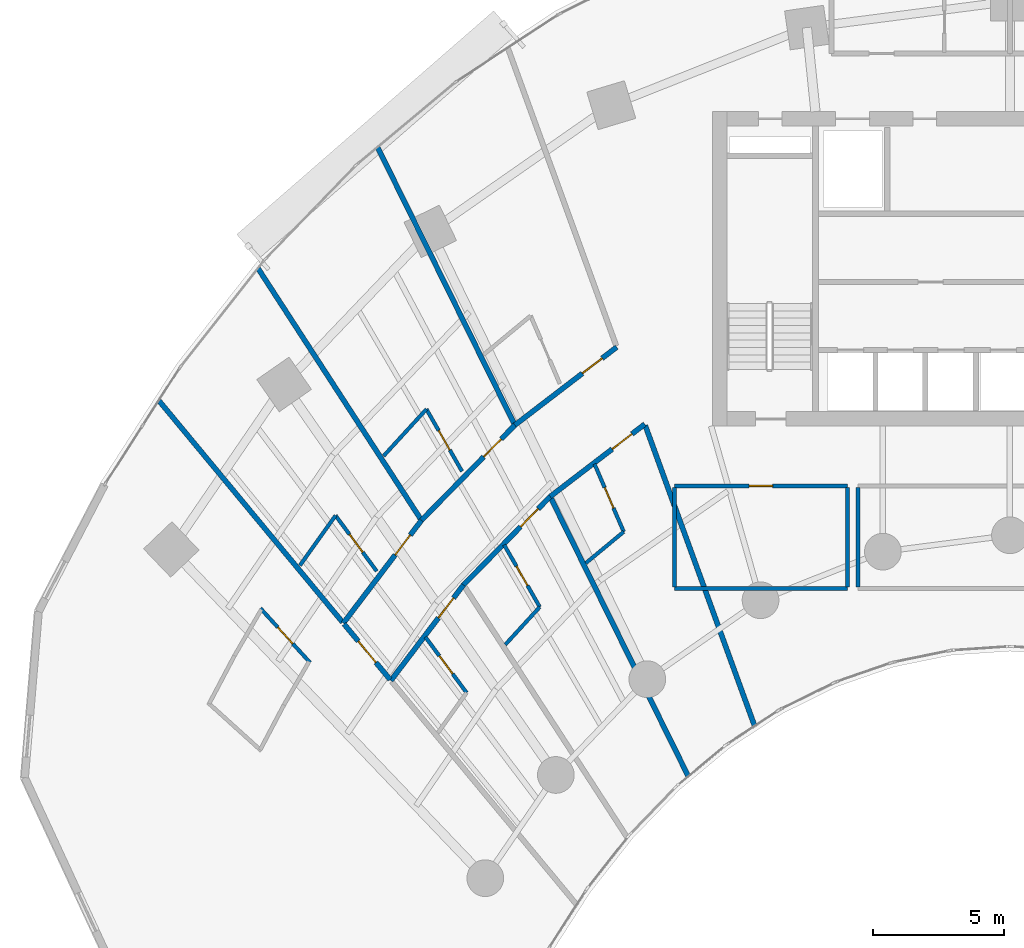
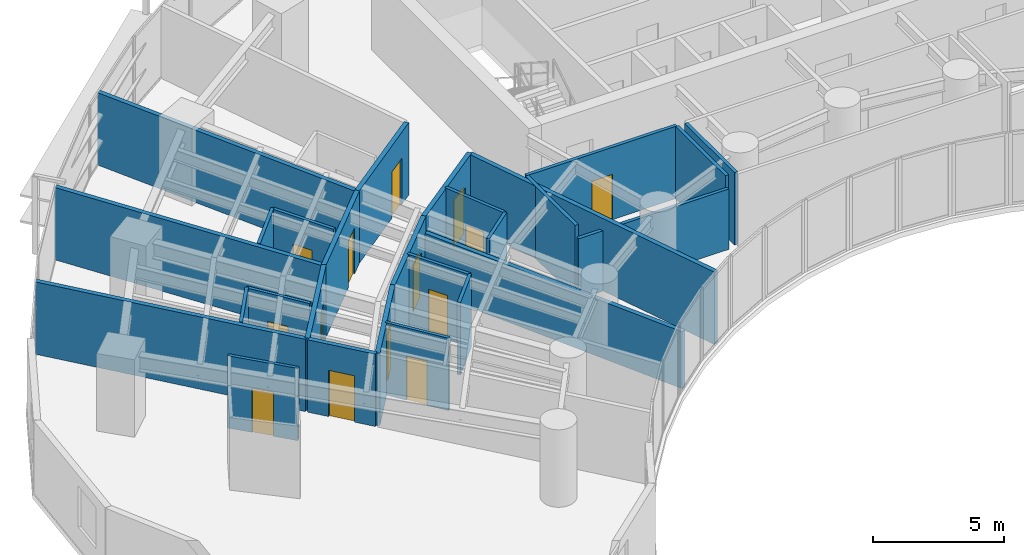
# One storey, part 11 of 18: 27 walls, 14 doors, 14 openings.
"""IFC4 building model written with IfcOpenShell, lengths in metres."""

from ifc_helpers import new_model, si_unit, direction, frame, frame_2d, origin, place, context, subcontext, project, spatial, rectangle, extrude, source, transform, mapped, material, layer, layer_set, type_object, type_shapes, element, fill, save


model = new_model("IFC4")

# Units and contexts
model_context = context("Model", 3, precision=1e-05, world=origin(), true_north=direction((0.0, 1.0)))
body_context = subcontext(model_context, "Body", "Model", "MODEL_VIEW")
ifc_project = project(units=[si_unit("LENGTHUNIT", "METRE"), si_unit("AREAUNIT", "SQUARE_METRE"), si_unit("VOLUMEUNIT", "CUBIC_METRE"), si_unit("PLANEANGLEUNIT", "RADIAN"), si_unit("MASSUNIT", "GRAM", prefix="KILO")], contexts=[model_context])

# Site, building, storey
site_placement = place(None, origin())
site = spatial("IfcSite", under=ifc_project, at=site_placement, CompositionType="ELEMENT")
building_placement = place(site_placement, origin())
building = spatial("IfcBuilding", under=site, at=building_placement, Name="Breltana Convention Tower", CompositionType="ELEMENT")
storey_placement = place(building_placement, frame((0.0, 0.0, 35.39990234375)))
storey = spatial("IfcBuildingStorey", under=building, at=storey_placement, Name="L06", CompositionType="ELEMENT", Elevation=35.39990234375)

# Wall
ifc_material_1 = material(Name="Gypsum Acoustic Drywall Partition")
ifc_layer_1 = layer(ifc_material_1, 0.14990234375, Name="Gypsum Acoustic Drywall Partition")
ifc_layer_set_1 = layer_set([ifc_layer_1], Name="Gypsum Acoustic Drywall Partition")
wall_type_1 = type_object("IfcWallType", Name="WL-PART-150", PredefinedType="PARTITIONING", material=ifc_layer_set_1)
shared_shape_1 = source(origin(), body_context, "Body", "SweptSolid", [
    extrude(rectangle(XDim=6.60009765625, YDim=0.14990234375, at=frame_2d((3.300048828125, 0.0))), origin(), (0.0, 0.0, 1.0), 2.802978515625),
])
wall_1_placement = place(storey_placement, frame((35.199951171875, 54.0, 0.0), z_axis=(0.0, 0.0, 1.0), x_axis=(1.0, 0.0, 0.0)))
element("IfcWall", 1, at=wall_1_placement, inside=storey, type_object=wall_type_1, Name="L06 interior partition W-L06-HSK-S", PredefinedType="PARTITIONING", context=body_context, shape_type="MappedRepresentation", body=[
    mapped(shared_shape_1, transform((0.0, 0.0, 0.0), scale=1.0)),
])

# Wall, opening, door
shared_shape_2 = source(origin(), body_context, "Body", "SweptSolid", [
    extrude(rectangle(XDim=6.60009765625, YDim=0.14990234375, at=frame_2d((3.300048828125, 0.0))), origin(), (0.0, 0.0, 1.0), 3.360107421875),
])
wall_2_placement = place(storey_placement, frame((35.199951171875, 57.919921875, 0.0), z_axis=(0.0, 0.0, 1.0), x_axis=(1.0, 0.0, 0.0)))
wall_2 = element("IfcWall", 2, at=wall_2_placement, inside=storey, type_object=wall_type_1, Name="L06 interior partition W-L06-HSK-N", PredefinedType="PARTITIONING", context=body_context, shape_type="MappedRepresentation", body=[
    mapped(shared_shape_2, transform((0.0, 0.0, 0.0), scale=1.0)),
])
opening_1_placement = place(wall_2_placement, frame((2.85009765625, 0.0, 0.0)))
opening_1 = element("IfcOpeningElement", 3, at=opening_1_placement, cuts=wall_2, Name="Opening D-18", PredefinedType="OPENING", context=body_context, shape_type="SweptSolid", body=[
    extrude(rectangle(XDim=0.89990234375, YDim=2.10009765625, at=frame_2d((0.449951171875, 1.050048828125))), frame((0.0, 0.0849609375, 0.0), z_axis=(0.0, -1.0, 0.0), x_axis=(1.0, 0.0, 0.0)), (0.0, 0.0, 1.0), 0.169921875),
])
ifc_material_2 = material(Name="Steel Riser Fire Door", Category="steel")
door_type_1 = type_object("IfcDoorType", Name="DR-FD60-900", OperationType="NOTDEFINED", PredefinedType="DOOR", material=ifc_material_2)
shared_shape_3 = source(origin(), body_context, "Body", "SweptSolid", [
    extrude(rectangle(XDim=0.89990234375, YDim=2.10009765625, at=frame_2d((0.449951171875, 1.050048828125))), frame((0.0, 0.02490234375, 0.0), z_axis=(0.0, -1.0, 0.0), x_axis=(1.0, 0.0, 0.0)), (0.0, 0.0, 1.0), 0.050048828125),
])
type_shapes(door_type_1, [shared_shape_3])
door_1_placement = place(opening_1_placement, origin())
door_1 = element("IfcDoor", 4, at=door_1_placement, inside=storey, type_object=door_type_1, Name="L06 interior door D-L06-HSK", OperationType="SINGLE_SWING_RIGHT", OverallHeight=2.10009765625, OverallWidth=0.89990234375, PredefinedType="DOOR", context=body_context, shape_type="MappedRepresentation", body=[
    mapped(shared_shape_3, transform((0.0, 0.0, 0.0), scale=1.0)),
])
fill(opening_1, door_1)

# Walls
shared_shape_4 = source(origin(), body_context, "Body", "SweptSolid", [
    extrude(rectangle(XDim=3.78515625, YDim=0.14990234375, at=frame_2d((1.892578125, 0.0))), origin(), (0.0, 0.0, 1.0), 3.360107421875),
])
for number, where, z_axis, x_axis, name in (
    (5, (35.199951171875, 54.0673828125, 0.0), (0.0, 0.0, 1.0), (0.0, 1.0, 0.0), "L06 interior partition W-L06-HSK-W"),
    (6, (41.800048828125, 54.0673828125, 0.0), (0.0, 0.0, 1.0), (0.0, 1.0, 0.0), "L06 interior partition W-L06-HSK-E"),
    (7, (42.199951171875, 54.0673828125, 0.0), (0.0, 0.0, 1.0), (0.0, 1.0, 0.0), "L06 interior partition W-L06-HLG-W"),
):
    element("IfcWall", number, at=place(storey_placement, frame(where, z_axis=z_axis, x_axis=x_axis)), inside=storey, type_object=wall_type_1, Name=name, PredefinedType="PARTITIONING", context=body_context, shape_type="MappedRepresentation", body=[
        mapped(shared_shape_4, transform((0.0, 0.0, 0.0), scale=1.0)),
    ])

# Wall, opening, door
ifc_material_3 = material(Name="Gypsum Acoustic Hotel Wall")
ifc_layer_2 = layer(ifc_material_3, 0.195068359375, Name="Gypsum Acoustic Hotel Wall")
ifc_layer_set_2 = layer_set([ifc_layer_2], Name="Gypsum Acoustic Hotel Wall")
wall_type_2 = type_object("IfcWallType", Name="WL-HOTEL-200", PredefinedType="PARTITIONING", material=ifc_layer_set_2)
shared_shape_5 = source(origin(), body_context, "Body", "SweptSolid", [
    extrude(rectangle(XDim=4.927734375, YDim=0.195068359375, at=frame_2d((2.4638671875, 0.0))), origin(), (0.0, 0.0, 1.0), 3.360107421875),
])
wall_3_placement = place(storey_placement, frame((22.569580078125, 52.682861328125, 0.0), z_axis=(0.0, 0.0, 1.0), x_axis=(0.604793043708, 0.796382680803, 0.0)))
wall_3 = element("IfcWall", 8, at=wall_3_placement, inside=storey, type_object=wall_type_2, Name="L06 interior partition W-L06-HK01-COR", PredefinedType="PARTITIONING", context=body_context, shape_type="MappedRepresentation", body=[
    mapped(shared_shape_5, transform((0.0, 0.0, 0.0), scale=1.0)),
])
opening_2_placement = place(wall_3_placement, frame((3.27001953125, 0.0, 0.0)))
opening_2 = element("IfcOpeningElement", 9, at=opening_2_placement, cuts=wall_3, Name="Opening D-14", PredefinedType="OPENING", context=body_context, shape_type="SweptSolid", body=[
    extrude(rectangle(XDim=0.949951171875, YDim=2.14990234375, at=frame_2d((0.47509765625, 1.074951171875))), frame((0.0, 0.107421875, 0.0), z_axis=(0.0, -1.0, 0.0), x_axis=(1.0, 0.0, 0.0)), (0.0, 0.0, 1.0), 0.215087890625),
])
ifc_material_4 = material(Name="Timber Solid-Core Fire Door", Category="wood")
door_type_2 = type_object("IfcDoorType", Name="DR-FD60-950", OperationType="NOTDEFINED", PredefinedType="DOOR", material=ifc_material_4)
shared_shape_6 = source(origin(), body_context, "Body", "SweptSolid", [
    extrude(rectangle(XDim=0.949951171875, YDim=2.14990234375, at=frame_2d((0.47509765625, 1.074951171875))), frame((0.0, 0.02490234375, 0.0), z_axis=(0.0, -1.0, 0.0), x_axis=(1.0, 0.0, 0.0)), (0.0, 0.0, 1.0), 0.050048828125),
])
type_shapes(door_type_2, [shared_shape_6])
door_2_placement = place(opening_2_placement, origin())
door_2 = element("IfcDoor", 10, at=door_2_placement, inside=storey, type_object=door_type_2, Name="L06 interior door D-L06-HK01", OperationType="SINGLE_SWING_LEFT", OverallHeight=2.14990234375, OverallWidth=0.949951171875, PredefinedType="DOOR", context=body_context, shape_type="MappedRepresentation", body=[
    mapped(shared_shape_6, transform((0.0, 0.0, 0.0), scale=1.0)),
])
fill(opening_2, door_2)

# Walls
shared_shape_7 = source(origin(), body_context, "Body", "SweptSolid", [
    extrude(rectangle(XDim=10.974609375, YDim=0.195068359375, at=frame_2d((5.4873046875, 0.0))), origin(), (0.0, 0.0, 1.0), 3.360107421875),
])
wall_4_placement = place(storey_placement, frame((22.539794921875, 52.71875, 0.0), z_axis=(0.0, 0.0, 1.0), x_axis=(-0.638125265812, 0.769932558821, 0.0)))
element("IfcWall", 11, at=wall_4_placement, inside=storey, type_object=wall_type_2, Name="L06 interior partition W-L06-HK01-RA", PredefinedType="PARTITIONING", context=body_context, shape_type="MappedRepresentation", body=[
    mapped(shared_shape_7, transform((0.0, 0.0, 0.0), scale=1.0)),
])
shared_shape_8 = source(origin(), body_context, "Body", "SweptSolid", [
    extrude(rectangle(XDim=11.402587890625, YDim=0.195068359375, at=frame_2d((5.701171875, 0.0))), origin(), (0.0, 0.0, 1.0), 3.360107421875),
])
wall_5_placement = place(storey_placement, frame((25.5234375, 56.6474609375, 0.0), z_axis=(0.0, 0.0, 1.0), x_axis=(-0.544246090008, 0.838925618581, 0.0)))
element("IfcWall", 12, at=wall_5_placement, inside=storey, type_object=wall_type_2, Name="L06 interior partition W-L06-HK01-RB", PredefinedType="PARTITIONING", context=body_context, shape_type="MappedRepresentation", body=[
    mapped(shared_shape_8, transform((0.0, 0.0, 0.0), scale=1.0)),
])
ifc_material_5 = material(Name="Moisture-Resistant En-Suite Partition")
ifc_layer_3 = layer(ifc_material_5, 0.139892578125, Name="Moisture-Resistant En-Suite Partition")
ifc_layer_set_3 = layer_set([ifc_layer_3], Name="Moisture-Resistant En-Suite Partition")
wall_type_3 = type_object("IfcWallType", Name="WL-WET-150", PredefinedType="PARTITIONING", material=ifc_layer_set_3)
shared_shape_9 = source(origin(), body_context, "Body", "SweptSolid", [
    extrude(rectangle(XDim=2.33740234375, YDim=0.139892578125, at=frame_2d((1.168701171875, 0.0))), origin(), (0.0, 0.0, 1.0), 3.360107421875),
])
wall_6_placement = place(storey_placement, frame((20.9150390625, 54.88623046875, 0.0), z_axis=(0.0, 0.0, 1.0), x_axis=(0.580862665959, 0.814001574504, 0.0)))
element("IfcWall", 13, at=wall_6_placement, inside=storey, type_object=wall_type_3, Name="L06 interior partition W-L06-HK01E-BK", PredefinedType="PARTITIONING", context=body_context, shape_type="MappedRepresentation", body=[
    mapped(shared_shape_9, transform((0.0, 0.0, 0.0), scale=1.0)),
])

# Wall, opening, door
shared_shape_10 = source(origin(), body_context, "Body", "SweptSolid", [
    extrude(rectangle(XDim=2.639892578125, YDim=0.139892578125, at=frame_2d((1.31982421875, 0.0))), origin(), (0.0, 0.0, 1.0), 3.360107421875),
])
wall_7_placement = place(storey_placement, frame((23.842529296875, 54.666259765625, 0.0), z_axis=(0.0, 0.0, 1.0), x_axis=(-0.594630255283, 0.803999290735, 0.0)))
wall_7 = element("IfcWall", 14, at=wall_7_placement, inside=storey, type_object=wall_type_3, Name="L06 interior partition W-L06-HK01E-SD", PredefinedType="PARTITIONING", context=body_context, shape_type="MappedRepresentation", body=[
    mapped(shared_shape_10, transform((0.0, 0.0, 0.0), scale=1.0)),
])
opening_3_placement = place(wall_7_placement, frame((0.89501953125, 0.0, 0.0)))
opening_3 = element("IfcOpeningElement", 15, at=opening_3_placement, cuts=wall_7, Name="Opening D-21", PredefinedType="OPENING", context=body_context, shape_type="SweptSolid", body=[
    extrude(rectangle(XDim=0.85009765625, YDim=2.050048828125, at=frame_2d((0.425048828125, 1.02490234375))), frame((0.0, 0.080078125, 0.0), z_axis=(0.0, -1.0, 0.0), x_axis=(1.0, 0.0, 0.0)), (0.0, 0.0, 1.0), 0.159912109375),
])
ifc_material_6 = material(Name="Timber Moisture-Resistant En-Suite Door", Category="wood")
door_type_3 = type_object("IfcDoorType", Name="DR-WET-850", OperationType="NOTDEFINED", PredefinedType="DOOR", material=ifc_material_6)
shared_shape_11 = source(origin(), body_context, "Body", "SweptSolid", [
    extrude(rectangle(XDim=0.85009765625, YDim=2.050048828125, at=frame_2d((0.425048828125, 1.02490234375))), frame((0.0, 0.02490234375, 0.0), z_axis=(0.0, -1.0, 0.0), x_axis=(1.0, 0.0, 0.0)), (0.0, 0.0, 1.0), 0.050048828125),
])
type_shapes(door_type_3, [shared_shape_11])
door_3_placement = place(opening_3_placement, origin())
door_3 = element("IfcDoor", 16, at=door_3_placement, inside=storey, type_object=door_type_3, Name="L06 interior door D-L06-HK01E", OperationType="SINGLE_SWING_RIGHT", OverallHeight=2.050048828125, OverallWidth=0.85009765625, PredefinedType="DOOR", context=body_context, shape_type="MappedRepresentation", body=[
    mapped(shared_shape_11, transform((0.0, 0.0, 0.0), scale=1.0)),
])
fill(opening_3, door_3)

wall_8_placement = place(storey_placement, frame((27.2705078125, 50.031005859375, 0.0), z_axis=(0.0, 0.0, 1.0), x_axis=(-0.594674469522, 0.803966588422, 0.0)))
wall_8 = element("IfcWall", 17, at=wall_8_placement, inside=storey, type_object=wall_type_3, Name="L06 interior partition W-L06-HK02E-SD", PredefinedType="PARTITIONING", context=body_context, shape_type="MappedRepresentation", body=[
    mapped(shared_shape_10, transform((0.0, 0.0, 0.0), scale=1.0)),
])
opening_4_placement = place(wall_8_placement, frame((0.89501953125, 0.0, 0.0)))
opening_4 = element("IfcOpeningElement", 18, at=opening_4_placement, cuts=wall_8, Name="Opening D-21", PredefinedType="OPENING", context=body_context, shape_type="SweptSolid", body=[
    extrude(rectangle(XDim=0.85009765625, YDim=2.050048828125, at=frame_2d((0.425048828125, 1.02490234375))), frame((0.0, 0.080078125, 0.0), z_axis=(0.0, -1.0, 0.0), x_axis=(1.0, 0.0, 0.0)), (0.0, 0.0, 1.0), 0.159912109375),
])
door_4_placement = place(opening_4_placement, origin())
door_4 = element("IfcDoor", 19, at=door_4_placement, inside=storey, type_object=door_type_3, Name="L06 interior door D-L06-HK02E", OperationType="SINGLE_SWING_RIGHT", OverallHeight=2.050048828125, OverallWidth=0.85009765625, PredefinedType="DOOR", context=body_context, shape_type="MappedRepresentation", body=[
    mapped(shared_shape_11, transform((0.0, 0.0, 0.0), scale=1.0)),
])
fill(opening_4, door_4)

shared_shape_12 = source(origin(), body_context, "Body", "SweptSolid", [
    extrude(rectangle(XDim=4.576171875, YDim=0.195068359375, at=frame_2d((2.2880859375, 0.0))), origin(), (0.0, 0.0, 1.0), 3.360107421875),
])
wall_9_placement = place(storey_placement, frame((24.3828125, 50.4951171875, 0.0), z_axis=(0.0, 0.0, 1.0), x_axis=(0.604795096156, 0.796381122118, 0.0)))
wall_9 = element("IfcWall", 20, at=wall_9_placement, inside=storey, type_object=wall_type_2, Name="L06 interior partition W-L06-HK02-COR", PredefinedType="PARTITIONING", context=body_context, shape_type="MappedRepresentation", body=[
    mapped(shared_shape_12, transform((0.0, 0.0, 0.0), scale=1.0)),
])
opening_5_placement = place(wall_9_placement, frame((3.002685546875, 0.0, 0.0)))
opening_5 = element("IfcOpeningElement", 21, at=opening_5_placement, cuts=wall_9, Name="Opening D-14", PredefinedType="OPENING", context=body_context, shape_type="SweptSolid", body=[
    extrude(rectangle(XDim=0.949951171875, YDim=2.14990234375, at=frame_2d((0.47509765625, 1.074951171875))), frame((0.0, 0.107421875, 0.0), z_axis=(0.0, -1.0, 0.0), x_axis=(1.0, 0.0, 0.0)), (0.0, 0.0, 1.0), 0.215087890625),
])
door_5_placement = place(opening_5_placement, origin())
door_5 = element("IfcDoor", 22, at=door_5_placement, inside=storey, type_object=door_type_2, Name="L06 interior door D-L06-HK02", OperationType="SINGLE_SWING_LEFT", OverallHeight=2.14990234375, OverallWidth=0.949951171875, PredefinedType="DOOR", context=body_context, shape_type="MappedRepresentation", body=[
    mapped(shared_shape_6, transform((0.0, 0.0, 0.0), scale=1.0)),
])
fill(opening_5, door_5)

shared_shape_13 = source(origin(), body_context, "Body", "SweptSolid", [
    extrude(rectangle(XDim=5.0869140625, YDim=0.195068359375, at=frame_2d((2.54345703125, 0.0))), origin(), (0.0, 0.0, 1.0), 3.360107421875),
])
wall_10_placement = place(storey_placement, frame((25.5498046875, 56.607177734375, 0.0), z_axis=(0.0, 0.0, 1.0), x_axis=(0.700428330775, 0.7137227427, 0.0)))
wall_10 = element("IfcWall", 23, at=wall_10_placement, inside=storey, type_object=wall_type_2, Name="L06 interior partition W-L06-HK03-COR", PredefinedType="PARTITIONING", context=body_context, shape_type="MappedRepresentation", body=[
    mapped(shared_shape_13, transform((0.0, 0.0, 0.0), scale=1.0)),
])
opening_6_placement = place(wall_10_placement, frame((3.39111328125, 0.0, 0.0)))
opening_6 = element("IfcOpeningElement", 24, at=opening_6_placement, cuts=wall_10, Name="Opening D-14", PredefinedType="OPENING", context=body_context, shape_type="SweptSolid", body=[
    extrude(rectangle(XDim=0.949951171875, YDim=2.14990234375, at=frame_2d((0.47509765625, 1.074951171875))), frame((0.0, 0.107421875, 0.0), z_axis=(0.0, -1.0, 0.0), x_axis=(1.0, 0.0, 0.0)), (0.0, 0.0, 1.0), 0.215087890625),
])
door_6_placement = place(opening_6_placement, origin())
door_6 = element("IfcDoor", 25, at=door_6_placement, inside=storey, type_object=door_type_2, Name="L06 interior door D-L06-HK03", OperationType="SINGLE_SWING_LEFT", OverallHeight=2.14990234375, OverallWidth=0.949951171875, PredefinedType="DOOR", context=body_context, shape_type="MappedRepresentation", body=[
    mapped(shared_shape_6, transform((0.0, 0.0, 0.0), scale=1.0)),
])
fill(opening_6, door_6)

# Walls
shared_shape_14 = source(origin(), body_context, "Body", "SweptSolid", [
    extrude(rectangle(XDim=11.769775390625, YDim=0.195068359375, at=frame_2d((5.884765625, 0.0))), origin(), (0.0, 0.0, 1.0), 3.360107421875),
])
wall_11_placement = place(storey_placement, frame((29.090576171875, 60.282470703125, 0.0), z_axis=(0.0, 0.0, 1.0), x_axis=(-0.44286060326, 0.896590478468, 0.0)))
element("IfcWall", 26, at=wall_11_placement, inside=storey, type_object=wall_type_2, Name="L06 interior partition W-L06-HK03-RB", PredefinedType="PARTITIONING", context=body_context, shape_type="MappedRepresentation", body=[
    mapped(shared_shape_14, transform((0.0, 0.0, 0.0), scale=1.0)),
])
shared_shape_15 = source(origin(), body_context, "Body", "SweptSolid", [
    extrude(rectangle(XDim=2.415771484375, YDim=0.139892578125, at=frame_2d((1.2080078125, 0.0))), origin(), (0.0, 0.0, 1.0), 3.360107421875),
])
wall_12_placement = place(storey_placement, frame((24.10791015625, 59.064208984375, 0.0), z_axis=(0.0, 0.0, 1.0), x_axis=(0.675399637907, 0.737451916476, 0.0)))
element("IfcWall", 27, at=wall_12_placement, inside=storey, type_object=wall_type_3, Name="L06 interior partition W-L06-HK03E-BK", PredefinedType="PARTITIONING", context=body_context, shape_type="MappedRepresentation", body=[
    mapped(shared_shape_15, transform((0.0, 0.0, 0.0), scale=1.0)),
])

# Wall, opening, door
shared_shape_16 = source(origin(), body_context, "Body", "SweptSolid", [
    extrude(rectangle(XDim=2.731689453125, YDim=0.139892578125, at=frame_2d((1.36572265625, 0.0))), origin(), (0.0, 0.0, 1.0), 3.360107421875),
])
wall_13_placement = place(storey_placement, frame((27.097900390625, 58.4755859375, 0.0), z_axis=(0.0, 0.0, 1.0), x_axis=(-0.497254966372, 0.867604459658, 0.0)))
wall_13 = element("IfcWall", 28, at=wall_13_placement, inside=storey, type_object=wall_type_3, Name="L06 interior partition W-L06-HK03E-SD", PredefinedType="PARTITIONING", context=body_context, shape_type="MappedRepresentation", body=[
    mapped(shared_shape_16, transform((0.0, 0.0, 0.0), scale=1.0)),
])
opening_7_placement = place(wall_13_placement, frame((0.94091796875, 0.0, 0.0)))
opening_7 = element("IfcOpeningElement", 29, at=opening_7_placement, cuts=wall_13, Name="Opening D-21", PredefinedType="OPENING", context=body_context, shape_type="SweptSolid", body=[
    extrude(rectangle(XDim=0.85009765625, YDim=2.050048828125, at=frame_2d((0.425048828125, 1.02490234375))), frame((0.0, 0.080078125, 0.0), z_axis=(0.0, -1.0, 0.0), x_axis=(1.0, 0.0, 0.0)), (0.0, 0.0, 1.0), 0.159912109375),
])
door_7_placement = place(opening_7_placement, origin())
door_7 = element("IfcDoor", 30, at=door_7_placement, inside=storey, type_object=door_type_3, Name="L06 interior door D-L06-HK03E", OperationType="SINGLE_SWING_RIGHT", OverallHeight=2.050048828125, OverallWidth=0.85009765625, PredefinedType="DOOR", context=body_context, shape_type="MappedRepresentation", body=[
    mapped(shared_shape_11, transform((0.0, 0.0, 0.0), scale=1.0)),
])
fill(opening_7, door_7)

shared_shape_17 = source(origin(), body_context, "Body", "SweptSolid", [
    extrude(rectangle(XDim=4.724365234375, YDim=0.195068359375, at=frame_2d((2.3623046875, 0.0))), origin(), (0.0, 0.0, 1.0), 3.360107421875),
])
wall_14_placement = place(storey_placement, frame((27.150390625, 54.139404296875, 0.0), z_axis=(0.0, 0.0, 1.0), x_axis=(0.700435057457, 0.713716141253, 0.0)))
wall_14 = element("IfcWall", 31, at=wall_14_placement, inside=storey, type_object=wall_type_2, Name="L06 interior partition W-L06-HK04-COR", PredefinedType="PARTITIONING", context=body_context, shape_type="MappedRepresentation", body=[
    mapped(shared_shape_17, transform((0.0, 0.0, 0.0), scale=1.0)),
])
opening_8_placement = place(wall_14_placement, frame((3.115478515625, 0.0, 0.0)))
opening_8 = element("IfcOpeningElement", 32, at=opening_8_placement, cuts=wall_14, Name="Opening D-14", PredefinedType="OPENING", context=body_context, shape_type="SweptSolid", body=[
    extrude(rectangle(XDim=0.949951171875, YDim=2.14990234375, at=frame_2d((0.47509765625, 1.074951171875))), frame((0.0, 0.107421875, 0.0), z_axis=(0.0, -1.0, 0.0), x_axis=(1.0, 0.0, 0.0)), (0.0, 0.0, 1.0), 0.215087890625),
])
door_8_placement = place(opening_8_placement, origin())
door_8 = element("IfcDoor", 33, at=door_8_placement, inside=storey, type_object=door_type_2, Name="L06 interior door D-L06-HK04", OperationType="SINGLE_SWING_LEFT", OverallHeight=2.14990234375, OverallWidth=0.949951171875, PredefinedType="DOOR", context=body_context, shape_type="MappedRepresentation", body=[
    mapped(shared_shape_6, transform((0.0, 0.0, 0.0), scale=1.0)),
])
fill(opening_8, door_8)

# Walls
shared_shape_18 = source(origin(), body_context, "Body", "SweptSolid", [
    extrude(rectangle(XDim=11.843505859375, YDim=0.195068359375, at=frame_2d((5.921875, 0.0))), origin(), (0.0, 0.0, 1.0), 2.64404296875),
])
wall_15_placement = place(storey_placement, frame((35.7265625, 46.847900390625, 0.0), z_axis=(0.0, 0.0, 1.0), x_axis=(-0.442871152218, 0.896585267854, 0.0)))
element("IfcWall", 34, at=wall_15_placement, inside=storey, type_object=wall_type_2, Name="L06 interior partition W-L06-HK04-RB", PredefinedType="PARTITIONING", context=body_context, shape_type="MappedRepresentation", body=[
    mapped(shared_shape_18, transform((0.0, 0.0, 0.0), scale=1.0)),
])
shared_shape_19 = source(origin(), body_context, "Body", "SweptSolid", [
    extrude(rectangle(XDim=1.946533203125, YDim=0.139892578125, at=frame_2d((0.97314453125, 0.0))), origin(), (0.0, 0.0, 1.0), 3.360107421875),
])
wall_16_placement = place(storey_placement, frame((28.7490234375, 51.8642578125, 0.0), z_axis=(0.0, 0.0, 1.0), x_axis=(0.675383794012, 0.737466426888, 0.0)))
element("IfcWall", 35, at=wall_16_placement, inside=storey, type_object=wall_type_3, Name="L06 interior partition W-L06-HK04E-BK", PredefinedType="PARTITIONING", context=body_context, shape_type="MappedRepresentation", body=[
    mapped(shared_shape_19, transform((0.0, 0.0, 0.0), scale=1.0)),
])

# Wall, opening, door
shared_shape_20 = source(origin(), body_context, "Body", "SweptSolid", [
    extrude(rectangle(XDim=2.7314453125, YDim=0.139892578125, at=frame_2d((1.36572265625, 0.0))), origin(), (0.0, 0.0, 1.0), 3.360107421875),
])
wall_17_placement = place(storey_placement, frame((30.063720703125, 53.2998046875, 0.0), z_axis=(0.0, 0.0, 1.0), x_axis=(-0.497120404056, 0.867681568244, 0.0)))
wall_17 = element("IfcWall", 36, at=wall_17_placement, inside=storey, type_object=wall_type_3, Name="L06 interior partition W-L06-HK04E-SD", PredefinedType="PARTITIONING", context=body_context, shape_type="MappedRepresentation", body=[
    mapped(shared_shape_20, transform((0.0, 0.0, 0.0), scale=1.0)),
])
opening_9_placement = place(wall_17_placement, frame((0.94091796875, 0.0, 0.0)))
opening_9 = element("IfcOpeningElement", 37, at=opening_9_placement, cuts=wall_17, Name="Opening D-21", PredefinedType="OPENING", context=body_context, shape_type="SweptSolid", body=[
    extrude(rectangle(XDim=0.85009765625, YDim=2.050048828125, at=frame_2d((0.425048828125, 1.02490234375))), frame((0.0, 0.080078125, 0.0), z_axis=(0.0, -1.0, 0.0), x_axis=(1.0, 0.0, 0.0)), (0.0, 0.0, 1.0), 0.159912109375),
])
door_9_placement = place(opening_9_placement, origin())
door_9 = element("IfcDoor", 38, at=door_9_placement, inside=storey, type_object=door_type_3, Name="L06 interior door D-L06-HK04E", OperationType="SINGLE_SWING_RIGHT", OverallHeight=2.050048828125, OverallWidth=0.85009765625, PredefinedType="DOOR", context=body_context, shape_type="MappedRepresentation", body=[
    mapped(shared_shape_11, transform((0.0, 0.0, 0.0), scale=1.0)),
])
fill(opening_9, door_9)

shared_shape_21 = source(origin(), body_context, "Body", "SweptSolid", [
    extrude(rectangle(XDim=4.894775390625, YDim=0.195068359375, at=frame_2d((2.447265625, 0.0))), origin(), (0.0, 0.0, 1.0), 3.360107421875),
])
wall_18_placement = place(storey_placement, frame((29.11279296875, 60.23779296875, 0.0), z_axis=(0.0, 0.0, 1.0), x_axis=(0.793896075849, 0.608053468661, 0.0)))
wall_18 = element("IfcWall", 39, at=wall_18_placement, inside=storey, type_object=wall_type_2, Name="L06 interior partition W-L06-HK05-COR", PredefinedType="PARTITIONING", context=body_context, shape_type="MappedRepresentation", body=[
    mapped(shared_shape_21, transform((0.0, 0.0, 0.0), scale=1.0)),
])
opening_10_placement = place(wall_18_placement, frame((3.2451171875, 0.0, 0.0)))
opening_10 = element("IfcOpeningElement", 40, at=opening_10_placement, cuts=wall_18, Name="Opening D-14", PredefinedType="OPENING", context=body_context, shape_type="SweptSolid", body=[
    extrude(rectangle(XDim=0.949951171875, YDim=2.14990234375, at=frame_2d((0.47509765625, 1.074951171875))), frame((0.0, 0.107421875, 0.0), z_axis=(0.0, -1.0, 0.0), x_axis=(1.0, 0.0, 0.0)), (0.0, 0.0, 1.0), 0.215087890625),
])
door_10_placement = place(opening_10_placement, origin())
door_10 = element("IfcDoor", 41, at=door_10_placement, inside=storey, type_object=door_type_2, Name="L06 interior door D-L06-HK05", OperationType="SINGLE_SWING_LEFT", OverallHeight=2.14990234375, OverallWidth=0.949951171875, PredefinedType="DOOR", context=body_context, shape_type="MappedRepresentation", body=[
    mapped(shared_shape_6, transform((0.0, 0.0, 0.0), scale=1.0)),
])
fill(opening_10, door_10)

shared_shape_22 = source(origin(), body_context, "Body", "SweptSolid", [
    extrude(rectangle(XDim=4.546142578125, YDim=0.195068359375, at=frame_2d((2.27294921875, 0.0))), origin(), (0.0, 0.0, 1.0), 3.360107421875),
])
wall_19_placement = place(storey_placement, frame((30.45947265625, 57.51123046875, 0.0), z_axis=(0.0, 0.0, 1.0), x_axis=(0.793907931297, 0.608037989457, 0.0)))
wall_19 = element("IfcWall", 42, at=wall_19_placement, inside=storey, type_object=wall_type_2, Name="L06 interior partition W-L06-HK06-COR", PredefinedType="PARTITIONING", context=body_context, shape_type="MappedRepresentation", body=[
    mapped(shared_shape_22, transform((0.0, 0.0, 0.0), scale=1.0)),
])
opening_11_placement = place(wall_19_placement, frame((2.97998046875, 0.0, 0.0)))
opening_11 = element("IfcOpeningElement", 43, at=opening_11_placement, cuts=wall_19, Name="Opening D-14", PredefinedType="OPENING", context=body_context, shape_type="SweptSolid", body=[
    extrude(rectangle(XDim=0.949951171875, YDim=2.14990234375, at=frame_2d((0.47509765625, 1.074951171875))), frame((0.0, 0.107421875, 0.0), z_axis=(0.0, -1.0, 0.0), x_axis=(1.0, 0.0, 0.0)), (0.0, 0.0, 1.0), 0.215087890625),
])
door_11_placement = place(opening_11_placement, origin())
door_11 = element("IfcDoor", 44, at=door_11_placement, inside=storey, type_object=door_type_2, Name="L06 interior door D-L06-HK06", OperationType="SINGLE_SWING_LEFT", OverallHeight=2.14990234375, OverallWidth=0.949951171875, PredefinedType="DOOR", context=body_context, shape_type="MappedRepresentation", body=[
    mapped(shared_shape_6, transform((0.0, 0.0, 0.0), scale=1.0)),
])
fill(opening_11, door_11)

# Walls
shared_shape_23 = source(origin(), body_context, "Body", "SweptSolid", [
    extrude(rectangle(XDim=12.1962890625, YDim=0.195068359375, at=frame_2d((6.09814453125, 0.0))), origin(), (0.0, 0.0, 1.0), 3.360107421875),
])
wall_20_placement = place(storey_placement, frame((38.257568359375, 48.766357421875, 0.0), z_axis=(0.0, 0.0, 1.0), x_axis=(-0.342022711534, 0.939691686031, 0.0)))
element("IfcWall", 45, at=wall_20_placement, inside=storey, type_object=wall_type_2, Name="L06 interior partition W-L06-HK06-RB", PredefinedType="PARTITIONING", context=body_context, shape_type="MappedRepresentation", body=[
    mapped(shared_shape_23, transform((0.0, 0.0, 0.0), scale=1.0)),
])
shared_shape_24 = source(origin(), body_context, "Body", "SweptSolid", [
    extrude(rectangle(XDim=1.872802734375, YDim=0.139892578125, at=frame_2d((0.9365234375, 0.0))), origin(), (0.0, 0.0, 1.0), 3.360107421875),
])
wall_21_placement = place(storey_placement, frame((31.82275390625, 54.975830078125, 0.0), z_axis=(0.0, 0.0, 1.0), x_axis=(0.77069451688, 0.637204803537, 0.0)))
element("IfcWall", 46, at=wall_21_placement, inside=storey, type_object=wall_type_3, Name="L06 interior partition W-L06-HK06E-BK", PredefinedType="PARTITIONING", context=body_context, shape_type="MappedRepresentation", body=[
    mapped(shared_shape_24, transform((0.0, 0.0, 0.0), scale=1.0)),
])

# Wall, opening, door
shared_shape_25 = source(origin(), body_context, "Body", "SweptSolid", [
    extrude(rectangle(XDim=2.8173828125, YDim=0.139892578125, at=frame_2d((1.40869140625, 0.0))), origin(), (0.0, 0.0, 1.0), 3.360107421875),
])
wall_22_placement = place(storey_placement, frame((33.26611328125, 56.169189453125, 0.0), z_axis=(0.0, 0.0, 1.0), x_axis=(-0.395999429727, 0.918250756415, 0.0)))
wall_22 = element("IfcWall", 47, at=wall_22_placement, inside=storey, type_object=wall_type_3, Name="L06 interior partition W-L06-HK06E-SD", PredefinedType="PARTITIONING", context=body_context, shape_type="MappedRepresentation", body=[
    mapped(shared_shape_25, transform((0.0, 0.0, 0.0), scale=1.0)),
])
opening_12_placement = place(wall_22_placement, frame((0.98388671875, 0.0, 0.0)))
opening_12 = element("IfcOpeningElement", 48, at=opening_12_placement, cuts=wall_22, Name="Opening D-21", PredefinedType="OPENING", context=body_context, shape_type="SweptSolid", body=[
    extrude(rectangle(XDim=0.85009765625, YDim=2.050048828125, at=frame_2d((0.425048828125, 1.02490234375))), frame((0.0, 0.080078125, 0.0), z_axis=(0.0, -1.0, 0.0), x_axis=(1.0, 0.0, 0.0)), (0.0, 0.0, 1.0), 0.159912109375),
])
door_12_placement = place(opening_12_placement, origin())
door_12 = element("IfcDoor", 49, at=door_12_placement, inside=storey, type_object=door_type_3, Name="L06 interior door D-L06-HK06E", OperationType="SINGLE_SWING_RIGHT", OverallHeight=2.050048828125, OverallWidth=0.85009765625, PredefinedType="DOOR", context=body_context, shape_type="MappedRepresentation", body=[
    mapped(shared_shape_11, transform((0.0, 0.0, 0.0), scale=1.0)),
])
fill(opening_12, door_12)

shared_shape_26 = source(origin(), body_context, "Body", "SweptSolid", [
    extrude(rectangle(XDim=2.748291015625, YDim=0.195068359375, at=frame_2d((1.3740234375, 0.0))), origin(), (0.0, 0.0, 1.0), 3.360107421875),
])
wall_23_placement = place(storey_placement, frame((24.35302734375, 50.531005859375, 0.0), z_axis=(0.0, 0.0, 1.0), x_axis=(-0.638111168284, 0.769944242729, 0.0)))
wall_23 = element("IfcWall", 50, at=wall_23_placement, inside=storey, type_object=wall_type_2, Name="L06 interior partition W-L06-CS-W-END", PredefinedType="PARTITIONING", context=body_context, shape_type="MappedRepresentation", body=[
    mapped(shared_shape_26, transform((0.0, 0.0, 0.0), scale=1.0)),
])
opening_13_placement = place(wall_23_placement, frame((0.84912109375, 0.0, 0.0)))
opening_13 = element("IfcOpeningElement", 51, at=opening_13_placement, cuts=wall_23, Name="Opening D-13", PredefinedType="OPENING", context=body_context, shape_type="SweptSolid", body=[
    extrude(rectangle(XDim=1.050048828125, YDim=2.14990234375, at=frame_2d((0.52490234375, 1.074951171875))), frame((0.0, 0.107421875, 0.0), z_axis=(0.0, -1.0, 0.0), x_axis=(1.0, 0.0, 0.0)), (0.0, 0.0, 1.0), 0.215087890625),
])
door_type_4 = type_object("IfcDoorType", Name="DR-FD60-1050", OperationType="NOTDEFINED", PredefinedType="DOOR", material=ifc_material_4)
shared_shape_27 = source(origin(), body_context, "Body", "SweptSolid", [
    extrude(rectangle(XDim=1.050048828125, YDim=2.14990234375, at=frame_2d((0.52490234375, 1.074951171875))), frame((0.0, 0.02490234375, 0.0), z_axis=(0.0, -1.0, 0.0), x_axis=(1.0, 0.0, 0.0)), (0.0, 0.0, 1.0), 0.050048828125),
])
type_shapes(door_type_4, [shared_shape_27])
door_13_placement = place(opening_13_placement, origin())
door_13 = element("IfcDoor", 52, at=door_13_placement, inside=storey, type_object=door_type_4, Name="L06 interior door D-L06-CS-W", OperationType="SINGLE_SWING_LEFT", OverallHeight=2.14990234375, OverallWidth=1.050048828125, PredefinedType="DOOR", context=body_context, shape_type="MappedRepresentation", body=[
    mapped(shared_shape_27, transform((0.0, 0.0, 0.0), scale=1.0)),
])
fill(opening_13, door_13)

shared_shape_28 = source(origin(), body_context, "Body", "SweptSolid", [
    extrude(rectangle(XDim=2.812255859375, YDim=0.139892578125, at=frame_2d((1.40625, 0.0))), origin(), (0.0, 0.0, 1.0), 3.360107421875),
])
wall_24_placement = place(storey_placement, frame((21.30322265625, 51.176513671875, 0.0), z_axis=(0.0, 0.0, 1.0), x_axis=(-0.675119025852, 0.737708818527, 0.0)))
wall_24 = element("IfcWall", 53, at=wall_24_placement, inside=storey, type_object=wall_type_3, Name="L06 interior partition W-L06-CSENS-W-W", PredefinedType="PARTITIONING", context=body_context, shape_type="MappedRepresentation", body=[
    mapped(shared_shape_28, transform((0.0, 0.0, 0.0), scale=1.0)),
])
opening_14_placement = place(wall_24_placement, frame((0.981201171875, 0.0, 0.0)))
opening_14 = element("IfcOpeningElement", 54, at=opening_14_placement, cuts=wall_24, Name="Opening D-21", PredefinedType="OPENING", context=body_context, shape_type="SweptSolid", body=[
    extrude(rectangle(XDim=0.85009765625, YDim=2.050048828125, at=frame_2d((0.425048828125, 1.02490234375))), frame((0.0, 0.080078125, 0.0), z_axis=(0.0, -1.0, 0.0), x_axis=(1.0, 0.0, 0.0)), (0.0, 0.0, 1.0), 0.159912109375),
])
door_14_placement = place(opening_14_placement, origin())
door_14 = element("IfcDoor", 55, at=door_14_placement, inside=storey, type_object=door_type_3, Name="L06 interior door D-L06-CSENS-W", OperationType="SINGLE_SWING_RIGHT", OverallHeight=2.050048828125, OverallWidth=0.85009765625, PredefinedType="DOOR", context=body_context, shape_type="MappedRepresentation", body=[
    mapped(shared_shape_11, transform((0.0, 0.0, 0.0), scale=1.0)),
])
fill(opening_14, door_14)

save(model, "model.ifc")
